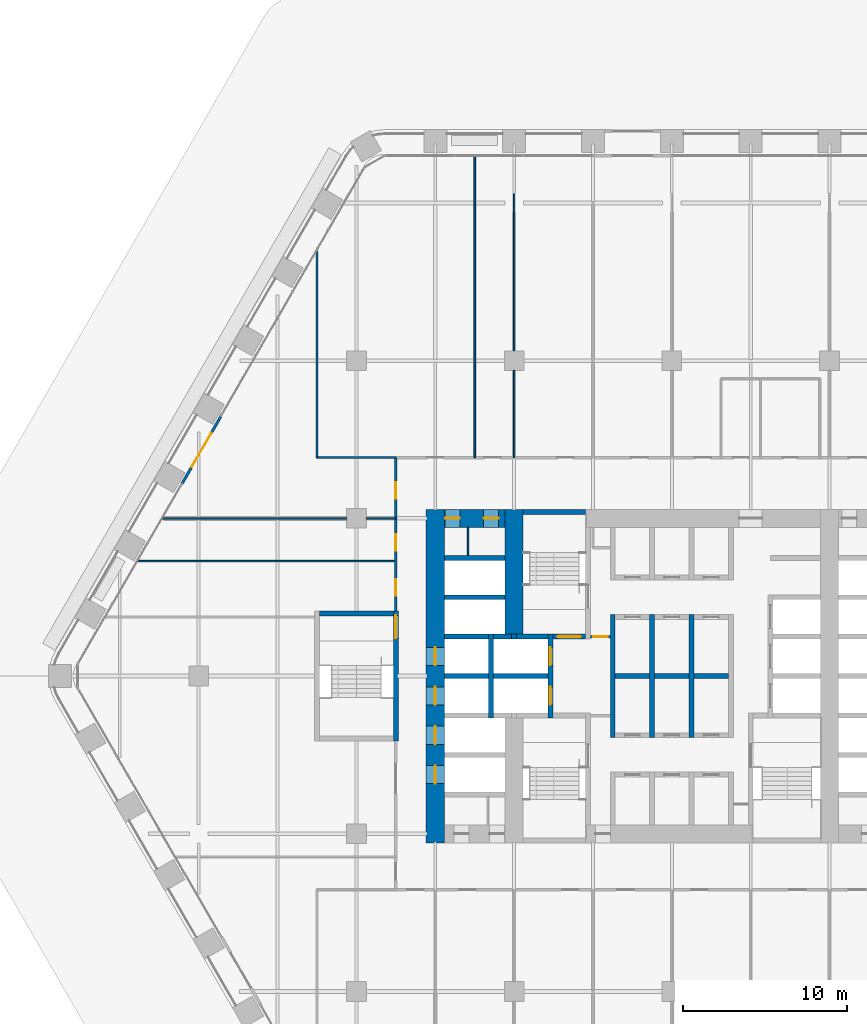
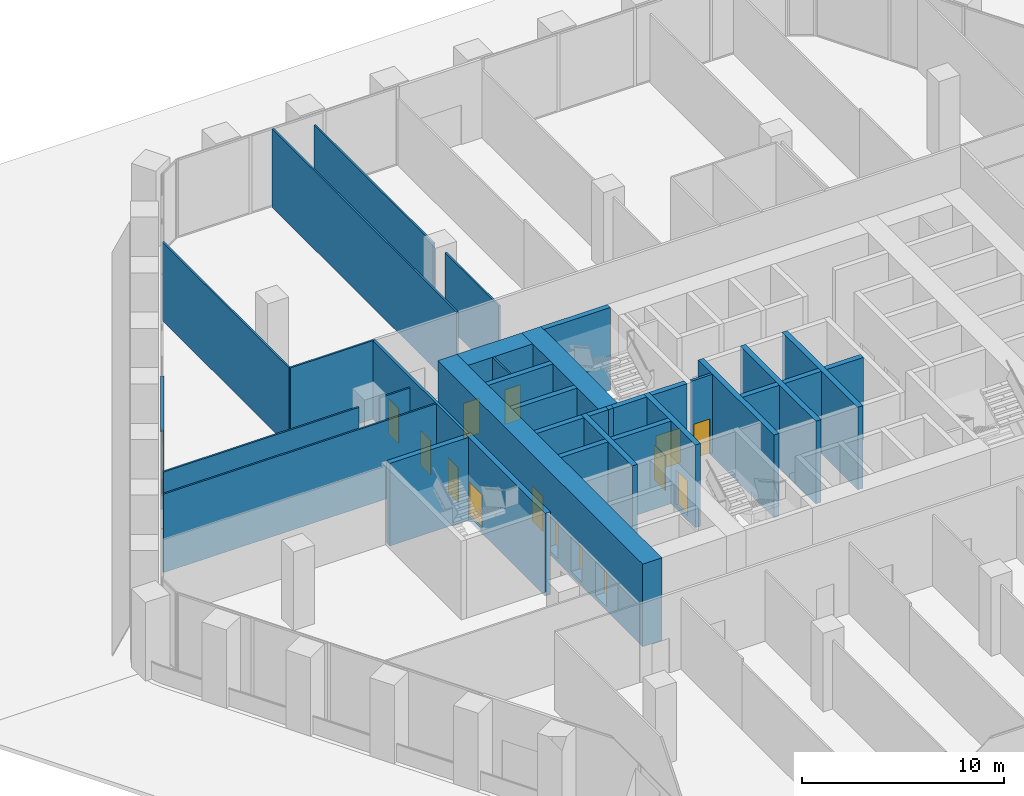
# One storey, part 21 of 29: 35 walls, 15 doors, 15 openings.
"""IFC4 building model written with IfcOpenShell, lengths in metres."""

from ifc_helpers import new_model, si_unit, direction, frame, frame_2d, origin, place, context, subcontext, project, spatial, rectangle, extrude, material, layer, layer_set, type_object, element, fill, save


model = new_model("IFC4")

# Units and contexts
model_context = context("Model", 3, precision=1e-05, world=origin(), true_north=direction((0.0, 1.0)))
body_context = subcontext(model_context, "Body", "Model", "MODEL_VIEW")
ifc_project = project(units=[si_unit("LENGTHUNIT", "METRE"), si_unit("AREAUNIT", "SQUARE_METRE"), si_unit("VOLUMEUNIT", "CUBIC_METRE"), si_unit("PLANEANGLEUNIT", "RADIAN"), si_unit("MASSUNIT", "GRAM", prefix="KILO")], contexts=[model_context])

# Site, building, storey
site_placement = place(None, origin())
site = spatial("IfcSite", under=ifc_project, at=site_placement, CompositionType="ELEMENT")
building_placement = place(site_placement, origin())
building = spatial("IfcBuilding", under=site, at=building_placement, Name="Kolab Exchange Tower", CompositionType="ELEMENT")
storey_placement = place(building_placement, frame((0.0, 0.0, 17.39990234375)))
storey = spatial("IfcBuildingStorey", under=building, at=storey_placement, Name="L03", CompositionType="ELEMENT", Elevation=17.39990234375)

# Wall, openings, doors
ifc_material_1 = material(Name="Concrete C80/95", Category="concrete")
ifc_layer_1 = layer(ifc_material_1, 1.10009765625)
ifc_layer_set_1 = layer_set([ifc_layer_1], Name="Concrete C80/95")
wall_type_1 = type_object("IfcWallType", Name="CORE WALL 1100 C80/95", PredefinedType="SHEAR", material=ifc_layer_set_1)
wall_1_placement = place(storey_placement, frame((-13.85009765625, 9.60009765625, -0.25), z_axis=(0.0, 0.0, 1.0), x_axis=(1.0, 0.0, 0.0)))
wall_1 = element("IfcWall", 1, at=wall_1_placement, inside=storey, type_object=wall_type_1, Name="wall/L03/core/051", PredefinedType="SHEAR", context=body_context, shape_type="SweptSolid", body=[
    extrude(rectangle(XDim=3.7001953125, YDim=1.10009765625, at=frame_2d((1.85009765625, 0.0))), origin(), (0.0, 0.0, 1.0), 5.0),
])
opening_1_placement = place(wall_1_placement, frame((0.050048828125, 0.0, 0.25)))
opening_1 = element("IfcOpeningElement", 2, at=opening_1_placement, cuts=wall_1, Name="Opening D6-077", PredefinedType="OPENING", context=body_context, shape_type="SweptSolid", body=[
    extrude(rectangle(XDim=0.89990234375, YDim=2.10009765625, at=frame_2d((0.449951171875, 1.050048828125))), frame((0.0, 0.56005859375, 0.0), z_axis=(0.0, -1.0, 0.0), x_axis=(1.0, 0.0, 0.0)), (0.0, 0.0, 1.0), 1.1201171875),
])
opening_2_placement = place(wall_1_placement, frame((2.39990234375, 0.0, 0.25)))
opening_2 = element("IfcOpeningElement", 3, at=opening_2_placement, cuts=wall_1, Name="Opening D6-078", PredefinedType="OPENING", context=body_context, shape_type="SweptSolid", body=[
    extrude(rectangle(XDim=0.89990234375, YDim=2.10009765625, at=frame_2d((0.449951171875, 1.050048828125))), frame((0.0, 0.56005859375, 0.0), z_axis=(0.0, -1.0, 0.0), x_axis=(1.0, 0.0, 0.0)), (0.0, 0.0, 1.0), 1.1201171875),
])
ifc_material_2 = material(Name="Steel S235", Category="steel")
door_type_1 = type_object("IfcDoorType", Name="CORE DOOR 900 EI 120", OperationType="SINGLE_SWING_LEFT", PredefinedType="DOOR", material=ifc_material_2)
door_1_placement = place(opening_1_placement, frame((0.89990234375, 0.0, 0.0), z_axis=(0.0, 0.0, 1.0), x_axis=(-1.0, 0.0, 0.0)))
door_1 = element("IfcDoor", 4, at=door_1_placement, inside=storey, type_object=door_type_1, Name="Service room door", OperationType="SINGLE_SWING_RIGHT", OverallHeight=2.10009765625, OverallWidth=0.89990234375, PredefinedType="DOOR", context=body_context, shape_type="SweptSolid", body=[
    extrude(rectangle(XDim=0.89990234375, YDim=2.10009765625, at=frame_2d((0.449951171875, 1.050048828125))), frame((0.0, 0.02490234375, 0.0), z_axis=(0.0, -1.0, 0.0), x_axis=(1.0, 0.0, 0.0)), (0.0, 0.0, 1.0), 0.050048828125),
])
fill(opening_1, door_1)
door_2_placement = place(opening_2_placement, frame((0.89990234375, 0.0, 0.0), z_axis=(0.0, 0.0, 1.0), x_axis=(-1.0, 0.0, 0.0)))
door_2 = element("IfcDoor", 5, at=door_2_placement, inside=storey, type_object=door_type_1, Name="Service room door", OperationType="SINGLE_SWING_LEFT", OverallHeight=2.10009765625, OverallWidth=0.89990234375, PredefinedType="DOOR", context=body_context, shape_type="SweptSolid", body=[
    extrude(rectangle(XDim=0.89990234375, YDim=2.10009765625, at=frame_2d((0.449951171875, 1.050048828125))), frame((0.0, 0.02490234375, 0.0), z_axis=(0.0, -1.0, 0.0), x_axis=(1.0, 0.0, 0.0)), (0.0, 0.0, 1.0), 0.050048828125),
])
fill(opening_2, door_2)

wall_2_placement = place(storey_placement, frame((-14.39990234375, -10.14990234375, -0.25), z_axis=(0.0, 0.0, 1.0), x_axis=(0.0, 1.0, 0.0)))
wall_2 = element("IfcWall", 6, at=wall_2_placement, inside=storey, type_object=wall_type_1, Name="wall/L03/core/057", PredefinedType="SHEAR", context=body_context, shape_type="SweptSolid", body=[
    extrude(rectangle(XDim=20.2998046875, YDim=1.10009765625, at=frame_2d((10.14990234375, 0.0))), origin(), (0.0, 0.0, 1.0), 5.0),
])
opening_3_placement = place(wall_2_placement, frame((3.60009765625, 0.0, 0.25)))
opening_3 = element("IfcOpeningElement", 7, at=opening_3_placement, cuts=wall_2, Name="Opening LD1-033", PredefinedType="OPENING", context=body_context, shape_type="SweptSolid", body=[
    extrude(rectangle(XDim=1.10009765625, YDim=2.10009765625, at=frame_2d((0.550048828125, 1.050048828125))), frame((0.0, 0.56005859375, 0.0), z_axis=(0.0, -1.0, 0.0), x_axis=(1.0, 0.0, 0.0)), (0.0, 0.0, 1.0), 1.1201171875),
])
opening_4_placement = place(wall_2_placement, frame((6.0, 0.0, 0.25)))
opening_4 = element("IfcOpeningElement", 8, at=opening_4_placement, cuts=wall_2, Name="Opening LD1-034", PredefinedType="OPENING", context=body_context, shape_type="SweptSolid", body=[
    extrude(rectangle(XDim=1.10009765625, YDim=2.10009765625, at=frame_2d((0.550048828125, 1.050048828125))), frame((0.0, 0.56005859375, 0.0), z_axis=(0.0, -1.0, 0.0), x_axis=(1.0, 0.0, 0.0)), (0.0, 0.0, 1.0), 1.1201171875),
])
opening_5_placement = place(wall_2_placement, frame((8.39990234375, 0.0, 0.25)))
opening_5 = element("IfcOpeningElement", 9, at=opening_5_placement, cuts=wall_2, Name="Opening LD1-035", PredefinedType="OPENING", context=body_context, shape_type="SweptSolid", body=[
    extrude(rectangle(XDim=1.10009765625, YDim=2.10009765625, at=frame_2d((0.550048828125, 1.050048828125))), frame((0.0, 0.56005859375, 0.0), z_axis=(0.0, -1.0, 0.0), x_axis=(1.0, 0.0, 0.0)), (0.0, 0.0, 1.0), 1.1201171875),
])
opening_6_placement = place(wall_2_placement, frame((10.800048828125, 0.0, 0.25)))
opening_6 = element("IfcOpeningElement", 10, at=opening_6_placement, cuts=wall_2, Name="Opening LD1-036", PredefinedType="OPENING", context=body_context, shape_type="SweptSolid", body=[
    extrude(rectangle(XDim=1.10009765625, YDim=2.10009765625, at=frame_2d((0.550048828125, 1.050048828125))), frame((0.0, 0.56005859375, 0.0), z_axis=(0.0, -1.0, 0.0), x_axis=(1.0, 0.0, 0.0)), (0.0, 0.0, 1.0), 1.1201171875),
])
ifc_material_3 = material(Name="Stainless steel 316", Category="steel")
door_type_2 = type_object("IfcDoorType", Name="LANDING DOOR 1100 PASSENGER", OperationType="DOUBLE_DOOR_SLIDING", PredefinedType="DOOR", material=ifc_material_3)
door_3_placement = place(opening_3_placement, origin())
door_3 = element("IfcDoor", 11, at=door_3_placement, inside=storey, type_object=door_type_2, Name="Landing door LR5", OperationType="DOUBLE_DOOR_SLIDING", OverallHeight=2.10009765625, OverallWidth=1.10009765625, PredefinedType="DOOR", context=body_context, shape_type="SweptSolid", body=[
    extrude(rectangle(XDim=1.10009765625, YDim=2.10009765625, at=frame_2d((0.550048828125, 1.050048828125))), frame((0.0, 0.02490234375, 0.0), z_axis=(0.0, -1.0, 0.0), x_axis=(1.0, 0.0, 0.0)), (0.0, 0.0, 1.0), 0.050048828125),
])
fill(opening_3, door_3)
door_4_placement = place(opening_4_placement, origin())
door_4 = element("IfcDoor", 12, at=door_4_placement, inside=storey, type_object=door_type_2, Name="Landing door LR6", OperationType="DOUBLE_DOOR_SLIDING", OverallHeight=2.10009765625, OverallWidth=1.10009765625, PredefinedType="DOOR", context=body_context, shape_type="SweptSolid", body=[
    extrude(rectangle(XDim=1.10009765625, YDim=2.10009765625, at=frame_2d((0.550048828125, 1.050048828125))), frame((0.0, 0.02490234375, 0.0), z_axis=(0.0, -1.0, 0.0), x_axis=(1.0, 0.0, 0.0)), (0.0, 0.0, 1.0), 0.050048828125),
])
fill(opening_4, door_4)
door_5_placement = place(opening_5_placement, origin())
door_5 = element("IfcDoor", 13, at=door_5_placement, inside=storey, type_object=door_type_2, Name="Landing door LR7", OperationType="DOUBLE_DOOR_SLIDING", OverallHeight=2.10009765625, OverallWidth=1.10009765625, PredefinedType="DOOR", context=body_context, shape_type="SweptSolid", body=[
    extrude(rectangle(XDim=1.10009765625, YDim=2.10009765625, at=frame_2d((0.550048828125, 1.050048828125))), frame((0.0, 0.02490234375, 0.0), z_axis=(0.0, -1.0, 0.0), x_axis=(1.0, 0.0, 0.0)), (0.0, 0.0, 1.0), 0.050048828125),
])
fill(opening_5, door_5)
door_6_placement = place(opening_6_placement, origin())
door_6 = element("IfcDoor", 14, at=door_6_placement, inside=storey, type_object=door_type_2, Name="Landing door LR8", OperationType="DOUBLE_DOOR_SLIDING", OverallHeight=2.10009765625, OverallWidth=1.10009765625, PredefinedType="DOOR", context=body_context, shape_type="SweptSolid", body=[
    extrude(rectangle(XDim=1.10009765625, YDim=2.10009765625, at=frame_2d((0.550048828125, 1.050048828125))), frame((0.0, 0.02490234375, 0.0), z_axis=(0.0, -1.0, 0.0), x_axis=(1.0, 0.0, 0.0)), (0.0, 0.0, 1.0), 0.050048828125),
])
fill(opening_6, door_6)

# Wall
wall_3_placement = place(storey_placement, frame((-9.60009765625, 2.550048828125, -0.25), z_axis=(0.0, 0.0, 1.0), x_axis=(0.0, 1.0, 0.0)))
element("IfcWall", 15, at=wall_3_placement, inside=storey, type_object=wall_type_1, Name="wall/L03/core/062", PredefinedType="SHEAR", context=body_context, shape_type="SweptSolid", body=[
    extrude(rectangle(XDim=7.599853515625, YDim=1.10009765625, at=frame_2d((3.7998046875, 0.0))), origin(), (0.0, 0.0, 1.0), 5.0),
])

# Wall, opening, door
ifc_material_4 = material(Name="Aluminium EN AW-6063 T6", Category="aluminium")
ifc_layer_2 = layer(ifc_material_4, 0.159912109375)
ifc_layer_set_2 = layer_set([ifc_layer_2], Name="Aluminium EN AW-6063 T6")
wall_type_2 = type_object("IfcWallType", Name="DOOR SURROUND WALL 160 ALUMINIUM FRAMED", PredefinedType="PARTITIONING", material=ifc_layer_set_2)
wall_4_placement = place(storey_placement, frame((-29.816650390625, 11.706787109375, 0.0), z_axis=(0.0, 0.0, 1.0), x_axis=(0.499978080042, 0.866038058908, 0.0)))
wall_4 = element("IfcWall", 16, at=wall_4_placement, inside=storey, type_object=wall_type_2, Name="Door surround wall", PredefinedType="PARTITIONING", context=body_context, shape_type="SweptSolid", body=[
    extrude(rectangle(XDim=4.739990234375, YDim=0.159912109375, at=frame_2d((2.3701171875, 0.0))), origin(), (0.0, 0.0, 1.0), 4.75),
])
opening_7_placement = place(wall_4_placement, frame((1.169921875, 0.0, 0.0)))
opening_7 = element("IfcOpeningElement", 17, at=opening_7_placement, cuts=wall_4, Name="Opening GD1-014", PredefinedType="OPENING", context=body_context, shape_type="SweptSolid", body=[
    extrude(rectangle(XDim=2.39990234375, YDim=2.39990234375, at=frame_2d((1.199951171875, 1.199951171875))), frame((0.0, 0.08984375, 0.0), z_axis=(0.0, -1.0, 0.0), x_axis=(1.0, 0.0, 0.0)), (0.0, 0.0, 1.0), 0.179931640625),
])
door_type_3 = type_object("IfcDoorType", Name="LOGGIA SLIDING GLASS DOOR 2400 X 2400", OperationType="DOUBLE_DOOR_SINGLE_SWING", PredefinedType="DOOR", material=ifc_material_4)
door_7_placement = place(opening_7_placement, origin())
door_7 = element("IfcDoor", 18, at=door_7_placement, inside=storey, type_object=door_type_3, Name="Loggia door", OperationType="DOUBLE_DOOR_SLIDING", OverallHeight=2.39990234375, OverallWidth=2.39990234375, PredefinedType="DOOR", context=body_context, shape_type="SweptSolid", body=[
    extrude(rectangle(XDim=2.39990234375, YDim=2.39990234375, at=frame_2d((1.199951171875, 1.199951171875))), frame((0.0, 0.02490234375, 0.0), z_axis=(0.0, -1.0, 0.0), x_axis=(1.0, 0.0, 0.0)), (0.0, 0.0, 1.0), 0.050048828125),
])
fill(opening_7, door_7)

# Walls
ifc_material_5 = material(Name="Concrete C50/60", Category="concrete")
ifc_layer_3 = layer(ifc_material_5, 0.300048828125)
ifc_layer_set_3 = layer_set([ifc_layer_3], Name="Concrete C50/60")
wall_type_3 = type_object("IfcWallType", Name="LIFT SHAFT WALL 300 C50/60", PredefinedType="STANDARD", material=ifc_layer_set_3)
wall_5_placement = place(storey_placement, frame((-13.85009765625, 0.0, -0.25), z_axis=(0.0, 0.0, 1.0), x_axis=(1.0, 0.0, 0.0)))
element("IfcWall", 19, at=wall_5_placement, inside=storey, type_object=wall_type_3, Name="wall/L03/core/024", PredefinedType="STANDARD", context=body_context, shape_type="SweptSolid", body=[
    extrude(rectangle(XDim=2.7001953125, YDim=0.300048828125, at=frame_2d((1.35009765625, 0.0))), origin(), (0.0, 0.0, 1.0), 5.0),
])
wall_6_placement = place(storey_placement, frame((-10.85009765625, 0.0, -0.25), z_axis=(0.0, 0.0, 1.0), x_axis=(1.0, 0.0, 0.0)))
element("IfcWall", 20, at=wall_6_placement, inside=storey, type_object=wall_type_3, Name="wall/L03/core/025", PredefinedType="STANDARD", context=body_context, shape_type="SweptSolid", body=[
    extrude(rectangle(XDim=3.300048828125, YDim=0.300048828125, at=frame_2d((1.64990234375, 0.0))), origin(), (0.0, 0.0, 1.0), 5.0),
])
wall_7_placement = place(storey_placement, frame((-3.449951171875, 0.0, -0.25), z_axis=(0.0, 0.0, 1.0), x_axis=(1.0, 0.0, 0.0)))
element("IfcWall", 21, at=wall_7_placement, inside=storey, type_object=wall_type_3, Name="wall/L03/core/026", PredefinedType="STANDARD", context=body_context, shape_type="SweptSolid", body=[
    extrude(rectangle(XDim=2.099853515625, YDim=0.300048828125, at=frame_2d((1.0498046875, 0.0))), origin(), (0.0, 0.0, 1.0), 5.0),
])
wall_8_placement = place(storey_placement, frame((-1.050048828125, 0.0, -0.25), z_axis=(0.0, 0.0, 1.0), x_axis=(1.0, 0.0, 0.0)))
element("IfcWall", 22, at=wall_8_placement, inside=storey, type_object=wall_type_3, Name="wall/L03/core/027", PredefinedType="STANDARD", context=body_context, shape_type="SweptSolid", body=[
    extrude(rectangle(XDim=2.10009765625, YDim=0.300048828125, at=frame_2d((1.050048828125, 0.0))), origin(), (0.0, 0.0, 1.0), 5.0),
])
wall_9_placement = place(storey_placement, frame((1.35009765625, 0.0, -0.25), z_axis=(0.0, 0.0, 1.0), x_axis=(1.0, 0.0, 0.0)))
element("IfcWall", 23, at=wall_9_placement, inside=storey, type_object=wall_type_3, Name="wall/L03/core/028", PredefinedType="STANDARD", context=body_context, shape_type="SweptSolid", body=[
    extrude(rectangle(XDim=2.099853515625, YDim=0.300048828125, at=frame_2d((1.0498046875, 0.0))), origin(), (0.0, 0.0, 1.0), 5.0),
])
wall_10_placement = place(storey_placement, frame((-13.85009765625, 2.39990234375, -0.25), z_axis=(0.0, 0.0, 1.0), x_axis=(1.0, 0.0, 0.0)))
element("IfcWall", 24, at=wall_10_placement, inside=storey, type_object=wall_type_3, Name="wall/L03/core/031", PredefinedType="STANDARD", context=body_context, shape_type="SweptSolid", body=[
    extrude(rectangle(XDim=2.7001953125, YDim=0.300048828125, at=frame_2d((1.35009765625, 0.0))), origin(), (0.0, 0.0, 1.0), 5.0),
])
wall_11_placement = place(storey_placement, frame((-10.85009765625, 2.39990234375, -0.25), z_axis=(0.0, 0.0, 1.0), x_axis=(1.0, 0.0, 0.0)))
element("IfcWall", 25, at=wall_11_placement, inside=storey, type_object=wall_type_3, Name="wall/L03/core/032", PredefinedType="STANDARD", context=body_context, shape_type="SweptSolid", body=[
    extrude(rectangle(XDim=1.10009765625, YDim=0.300048828125, at=frame_2d((0.550048828125, 0.0))), origin(), (0.0, 0.0, 1.0), 5.0),
])
for number, where, z_axis, x_axis, name in (
    (26, (-13.85009765625, 4.800048828125, -0.25), (0.0, 0.0, 1.0), (1.0, 0.0, 0.0), "wall/L03/core/042"),
    (27, (-13.85009765625, 7.199951171875, -0.25), (0.0, 0.0, 1.0), (1.0, 0.0, 0.0), "wall/L03/core/048"),
):
    element("IfcWall", number, at=place(storey_placement, frame(where, z_axis=z_axis, x_axis=x_axis)), inside=storey, type_object=wall_type_3, Name=name, PredefinedType="STANDARD", context=body_context, shape_type="SweptSolid", body=[
        extrude(rectangle(XDim=3.7001953125, YDim=0.300048828125, at=frame_2d((1.85009765625, 0.0))), origin(), (0.0, 0.0, 1.0), 5.0),
    ])
wall_12_placement = place(storey_placement, frame((-11.0, -2.550048828125, -0.25), z_axis=(0.0, 0.0, 1.0), x_axis=(0.0, 1.0, 0.0)))
element("IfcWall", 28, at=wall_12_placement, inside=storey, type_object=wall_type_3, Name="wall/L03/core/058", PredefinedType="STANDARD", context=body_context, shape_type="SweptSolid", body=[
    extrude(rectangle(XDim=5.10009765625, YDim=0.300048828125, at=frame_2d((2.550048828125, 0.0))), origin(), (0.0, 0.0, 1.0), 5.0),
])

# Wall, openings, doors
wall_13_placement = place(storey_placement, frame((-7.39990234375, -2.550048828125, -0.25), z_axis=(0.0, 0.0, 1.0), x_axis=(0.0, 1.0, 0.0)))
wall_13 = element("IfcWall", 29, at=wall_13_placement, inside=storey, type_object=wall_type_3, Name="wall/L03/core/063", PredefinedType="STANDARD", context=body_context, shape_type="SweptSolid", body=[
    extrude(rectangle(XDim=5.10009765625, YDim=0.300048828125, at=frame_2d((2.550048828125, 0.0))), origin(), (0.0, 0.0, 1.0), 5.0),
])
opening_8_placement = place(wall_13_placement, frame((0.800048828125, 0.0, 0.25)))
opening_8 = element("IfcOpeningElement", 30, at=opening_8_placement, cuts=wall_13, Name="Opening LD2-007", PredefinedType="OPENING", context=body_context, shape_type="SweptSolid", body=[
    extrude(rectangle(XDim=1.10009765625, YDim=2.10009765625, at=frame_2d((0.550048828125, 1.050048828125))), frame((0.0, 0.16015625, 0.0), z_axis=(0.0, -1.0, 0.0), x_axis=(1.0, 0.0, 0.0)), (0.0, 0.0, 1.0), 0.320068359375),
])
opening_9_placement = place(wall_13_placement, frame((3.199951171875, 0.0, 0.25)))
opening_9 = element("IfcOpeningElement", 31, at=opening_9_placement, cuts=wall_13, Name="Opening LD2-008", PredefinedType="OPENING", context=body_context, shape_type="SweptSolid", body=[
    extrude(rectangle(XDim=1.10009765625, YDim=2.10009765625, at=frame_2d((0.550048828125, 1.050048828125))), frame((0.0, 0.16015625, 0.0), z_axis=(0.0, -1.0, 0.0), x_axis=(1.0, 0.0, 0.0)), (0.0, 0.0, 1.0), 0.320068359375),
])
door_type_4 = type_object("IfcDoorType", Name="LANDING DOOR 1100 FIREFIGHTING", OperationType="DOUBLE_DOOR_SLIDING", PredefinedType="DOOR", material=ifc_material_3)
door_8_placement = place(opening_8_placement, origin())
door_8 = element("IfcDoor", 32, at=door_8_placement, inside=storey, type_object=door_type_4, Name="Landing door FF1", OperationType="DOUBLE_DOOR_SLIDING", OverallHeight=2.10009765625, OverallWidth=1.10009765625, PredefinedType="DOOR", context=body_context, shape_type="SweptSolid", body=[
    extrude(rectangle(XDim=1.10009765625, YDim=2.10009765625, at=frame_2d((0.550048828125, 1.050048828125))), frame((0.0, 0.02490234375, 0.0), z_axis=(0.0, -1.0, 0.0), x_axis=(1.0, 0.0, 0.0)), (0.0, 0.0, 1.0), 0.050048828125),
])
fill(opening_8, door_8)
door_9_placement = place(opening_9_placement, origin())
door_9 = element("IfcDoor", 33, at=door_9_placement, inside=storey, type_object=door_type_4, Name="Landing door FF2", OperationType="DOUBLE_DOOR_SLIDING", OverallHeight=2.10009765625, OverallWidth=1.10009765625, PredefinedType="DOOR", context=body_context, shape_type="SweptSolid", body=[
    extrude(rectangle(XDim=1.10009765625, YDim=2.10009765625, at=frame_2d((0.550048828125, 1.050048828125))), frame((0.0, 0.02490234375, 0.0), z_axis=(0.0, -1.0, 0.0), x_axis=(1.0, 0.0, 0.0)), (0.0, 0.0, 1.0), 0.050048828125),
])
fill(opening_9, door_9)

# Walls
for number, where, z_axis, x_axis, name in (
    (34, (-3.60009765625, -3.75, -0.25), (0.0, 0.0, 1.0), (0.0, 1.0, 0.0), "wall/L03/core/067"),
    (35, (-1.199951171875, -3.75, -0.25), (0.0, 0.0, 1.0), (0.0, 1.0, 0.0), "wall/L03/core/070"),
    (36, (1.199951171875, -3.75, -0.25), (0.0, 0.0, 1.0), (0.0, 1.0, 0.0), "wall/L03/core/073"),
):
    element("IfcWall", number, at=place(storey_placement, frame(where, z_axis=z_axis, x_axis=x_axis)), inside=storey, type_object=wall_type_3, Name=name, PredefinedType="STANDARD", context=body_context, shape_type="SweptSolid", body=[
        extrude(rectangle(XDim=7.5, YDim=0.300048828125, at=frame_2d((3.75, 0.0))), origin(), (0.0, 0.0, 1.0), 5.0),
    ])
ifc_material_6 = material(Name="Gypsum board", Category="gypsum")
ifc_layer_4 = layer(ifc_material_6, 0.10009765625)
ifc_layer_set_4 = layer_set([ifc_layer_4], Name="Gypsum board")
wall_type_4 = type_object("IfcWallType", Name="PARTITION 100", PredefinedType="PARTITIONING", material=ifc_layer_set_4)
wall_14_placement = place(storey_placement, frame((-9.60009765625, 13.300048828125, 0.0), z_axis=(0.0, 0.0, 1.0), x_axis=(0.0, 1.0, 0.0)))
element("IfcWall", 37, at=wall_14_placement, inside=storey, type_object=wall_type_4, Name="Partition 024", PredefinedType="PARTITIONING", context=body_context, shape_type="SweptSolid", body=[
    extrude(rectangle(XDim=5.300048828125, YDim=0.10009765625, at=frame_2d((2.64990234375, 0.0))), origin(), (0.0, 0.0, 1.0), 4.293212890625),
])
wall_15_placement = place(storey_placement, frame((-9.60009765625, 19.800048828125, 0.0), z_axis=(0.0, 0.0, 1.0), x_axis=(0.0, 1.0, 0.0)))
element("IfcWall", 38, at=wall_15_placement, inside=storey, type_object=wall_type_4, Name="Partition 025", PredefinedType="PARTITIONING", context=body_context, shape_type="SweptSolid", body=[
    extrude(rectangle(XDim=11.785400390625, YDim=0.10009765625, at=frame_2d((5.892578125, 0.0))), origin(), (0.0, 0.0, 1.0), 4.14208984375),
])
wall_16_placement = place(storey_placement, frame((-12.0, 13.300048828125, 0.0), z_axis=(0.0, 0.0, 1.0), x_axis=(0.0, 1.0, 0.0)))
element("IfcWall", 39, at=wall_16_placement, inside=storey, type_object=wall_type_4, Name="Partition 027", PredefinedType="PARTITIONING", context=body_context, shape_type="SweptSolid", body=[
    extrude(rectangle(XDim=18.285400390625, YDim=0.10009765625, at=frame_2d((9.142578125, 0.0))), origin(), (0.0, 0.0, 1.0), 4.75),
])
wall_17_placement = place(storey_placement, frame((-12.39990234375, 7.35009765625, 0.0), z_axis=(0.0, 0.0, 1.0), x_axis=(0.0, 1.0, 0.0)))
element("IfcWall", 40, at=wall_17_placement, inside=storey, type_object=wall_type_4, Name="Partition 028", PredefinedType="PARTITIONING", context=body_context, shape_type="SweptSolid", body=[
    extrude(rectangle(XDim=1.699951171875, YDim=0.10009765625, at=frame_2d((0.85009765625, 0.0))), origin(), (0.0, 0.0, 1.0), 4.75),
])
wall_18_placement = place(storey_placement, frame((-21.60009765625, 13.300048828125, 0.0), z_axis=(0.0, 0.0, 1.0), x_axis=(0.0, 1.0, 0.0)))
element("IfcWall", 41, at=wall_18_placement, inside=storey, type_object=wall_type_4, Name="Partition 033", PredefinedType="PARTITIONING", context=body_context, shape_type="SweptSolid", body=[
    extrude(rectangle(XDim=12.558349609375, YDim=0.10009765625, at=frame_2d((6.279296875, 0.0))), origin(), (0.0, 0.0, 1.0), 4.75),
])
wall_19_placement = place(storey_placement, frame((-32.48779296875, 7.0, 0.0), z_axis=(0.0, 0.0, 1.0), x_axis=(1.0, 0.0, 0.0)))
element("IfcWall", 42, at=wall_19_placement, inside=storey, type_object=wall_type_4, Name="Partition 042", PredefinedType="PARTITIONING", context=body_context, shape_type="SweptSolid", body=[
    extrude(rectangle(XDim=15.687744140625, YDim=0.10009765625, at=frame_2d((7.84375, 0.0))), origin(), (0.0, 0.0, 1.0), 4.75),
])
wall_20_placement = place(storey_placement, frame((-30.98681640625, 9.60009765625, 0.0), z_axis=(0.0, 0.0, 1.0), x_axis=(1.0, 0.0, 0.0)))
element("IfcWall", 43, at=wall_20_placement, inside=storey, type_object=wall_type_4, Name="Partition 044", PredefinedType="PARTITIONING", context=body_context, shape_type="SweptSolid", body=[
    extrude(rectangle(XDim=11.186767578125, YDim=0.10009765625, at=frame_2d((5.59326171875, 0.0))), origin(), (0.0, 0.0, 1.0), 3.988037109375),
])
wall_21_placement = place(storey_placement, frame((-18.60009765625, 9.60009765625, 0.0), z_axis=(0.0, 0.0, 1.0), x_axis=(1.0, 0.0, 0.0)))
element("IfcWall", 44, at=wall_21_placement, inside=storey, type_object=wall_type_4, Name="Partition 045", PredefinedType="PARTITIONING", context=body_context, shape_type="SweptSolid", body=[
    extrude(rectangle(XDim=1.800048828125, YDim=0.10009765625, at=frame_2d((0.89990234375, 0.0))), origin(), (0.0, 0.0, 1.0), 4.14208984375),
])
wall_22_placement = place(storey_placement, frame((-21.60009765625, 13.300048828125, 0.0), z_axis=(0.0, 0.0, 1.0), x_axis=(1.0, 0.0, 0.0)))
element("IfcWall", 45, at=wall_22_placement, inside=storey, type_object=wall_type_4, Name="Partition 047", PredefinedType="PARTITIONING", context=body_context, shape_type="SweptSolid", body=[
    extrude(rectangle(XDim=4.800048828125, YDim=0.10009765625, at=frame_2d((2.39990234375, 0.0))), origin(), (0.0, 0.0, 1.0), 4.75),
])

# Wall, openings, doors
ifc_layer_5 = layer(ifc_material_6, 0.14990234375)
ifc_layer_set_5 = layer_set([ifc_layer_5], Name="Gypsum board")
wall_type_5 = type_object("IfcWallType", Name="PARTITION 150 FIRE-RATED", PredefinedType="PARTITIONING", material=ifc_layer_set_5)
wall_23_placement = place(storey_placement, frame((-16.800048828125, 3.949951171875, 0.0), z_axis=(0.0, 0.0, 1.0), x_axis=(0.0, 1.0, 0.0)))
wall_23 = element("IfcWall", 46, at=wall_23_placement, inside=storey, type_object=wall_type_5, Name="Partition 031", PredefinedType="PARTITIONING", context=body_context, shape_type="SweptSolid", body=[
    extrude(rectangle(XDim=9.35009765625, YDim=0.14990234375, at=frame_2d((4.675048828125, 0.0))), origin(), (0.0, 0.0, 1.0), 4.75),
])
opening_10_placement = place(wall_23_placement, frame((0.949951171875, 0.0, 0.0)))
opening_10 = element("IfcOpeningElement", 47, at=opening_10_placement, cuts=wall_23, Name="Opening D1-063", PredefinedType="OPENING", context=body_context, shape_type="SweptSolid", body=[
    extrude(rectangle(XDim=1.0, YDim=2.10009765625, at=frame_2d((0.5, 1.050048828125))), frame((0.0, 0.0849609375, 0.0), z_axis=(0.0, -1.0, 0.0), x_axis=(1.0, 0.0, 0.0)), (0.0, 0.0, 1.0), 0.169921875),
])
opening_11_placement = place(wall_23_placement, frame((3.675048828125, 0.0, 0.0)))
opening_11 = element("IfcOpeningElement", 48, at=opening_11_placement, cuts=wall_23, Name="Opening D1-064", PredefinedType="OPENING", context=body_context, shape_type="SweptSolid", body=[
    extrude(rectangle(XDim=1.0, YDim=2.10009765625, at=frame_2d((0.5, 1.050048828125))), frame((0.0, 0.0849609375, 0.0), z_axis=(0.0, -1.0, 0.0), x_axis=(1.0, 0.0, 0.0)), (0.0, 0.0, 1.0), 0.169921875),
])
opening_12_placement = place(wall_23_placement, frame((6.85009765625, 0.0, 0.0)))
opening_12 = element("IfcOpeningElement", 49, at=opening_12_placement, cuts=wall_23, Name="Opening D1-065", PredefinedType="OPENING", context=body_context, shape_type="SweptSolid", body=[
    extrude(rectangle(XDim=1.0, YDim=2.10009765625, at=frame_2d((0.5, 1.050048828125))), frame((0.0, 0.0849609375, 0.0), z_axis=(0.0, -1.0, 0.0), x_axis=(1.0, 0.0, 0.0)), (0.0, 0.0, 1.0), 0.169921875),
])
door_type_5 = type_object("IfcDoorType", Name="FLUSH DOOR 1000 FD60", OperationType="SINGLE_SWING_LEFT", PredefinedType="DOOR", material=ifc_material_2)
door_10_placement = place(opening_10_placement, origin())
door_10 = element("IfcDoor", 50, at=door_10_placement, inside=storey, type_object=door_type_5, Name="Door L03-069", OperationType="SINGLE_SWING_RIGHT", OverallHeight=2.10009765625, OverallWidth=1.0, PredefinedType="DOOR", context=body_context, shape_type="SweptSolid", body=[
    extrude(rectangle(XDim=1.0, YDim=2.10009765625, at=frame_2d((0.5, 1.050048828125))), frame((0.0, 0.02490234375, 0.0), z_axis=(0.0, -1.0, 0.0), x_axis=(1.0, 0.0, 0.0)), (0.0, 0.0, 1.0), 0.050048828125),
])
fill(opening_10, door_10)
door_11_placement = place(opening_11_placement, origin())
door_11 = element("IfcDoor", 51, at=door_11_placement, inside=storey, type_object=door_type_5, Name="Door L03-070", OperationType="SINGLE_SWING_LEFT", OverallHeight=2.10009765625, OverallWidth=1.0, PredefinedType="DOOR", context=body_context, shape_type="SweptSolid", body=[
    extrude(rectangle(XDim=1.0, YDim=2.10009765625, at=frame_2d((0.5, 1.050048828125))), frame((0.0, 0.02490234375, 0.0), z_axis=(0.0, -1.0, 0.0), x_axis=(1.0, 0.0, 0.0)), (0.0, 0.0, 1.0), 0.050048828125),
])
fill(opening_11, door_11)
door_12_placement = place(opening_12_placement, origin())
door_12 = element("IfcDoor", 52, at=door_12_placement, inside=storey, type_object=door_type_5, Name="Door L03-071", OperationType="SINGLE_SWING_LEFT", OverallHeight=2.10009765625, OverallWidth=1.0, PredefinedType="DOOR", context=body_context, shape_type="SweptSolid", body=[
    extrude(rectangle(XDim=1.0, YDim=2.10009765625, at=frame_2d((0.5, 1.050048828125))), frame((0.0, 0.02490234375, 0.0), z_axis=(0.0, -1.0, 0.0), x_axis=(1.0, 0.0, 0.0)), (0.0, 0.0, 1.0), 0.050048828125),
])
fill(opening_12, door_12)

# Wall, opening, door
wall_24_placement = place(storey_placement, frame((-4.949951171875, 2.39990234375, 0.0), z_axis=(0.0, 0.0, 1.0), x_axis=(1.0, 0.0, 0.0)))
wall_24 = element("IfcWall", 53, at=wall_24_placement, inside=storey, type_object=wall_type_5, Name="Fire partition", PredefinedType="PARTITIONING", context=body_context, shape_type="SweptSolid", body=[
    extrude(rectangle(XDim=1.199951171875, YDim=0.14990234375, at=frame_2d((0.60009765625, 0.0))), origin(), (0.0, 0.0, 1.0), 4.75),
])
opening_13_placement = place(wall_24_placement, frame((0.14990234375, 0.0, 0.0)))
opening_13 = element("IfcOpeningElement", 54, at=opening_13_placement, cuts=wall_24, Name="Opening D6-056", PredefinedType="OPENING", context=body_context, shape_type="SweptSolid", body=[
    extrude(rectangle(XDim=0.89990234375, YDim=2.10009765625, at=frame_2d((0.449951171875, 1.050048828125))), frame((0.0, 0.0849609375, 0.0), z_axis=(0.0, -1.0, 0.0), x_axis=(1.0, 0.0, 0.0)), (0.0, 0.0, 1.0), 0.169921875),
])
door_13_placement = place(opening_13_placement, frame((0.89990234375, 0.0, 0.0), z_axis=(0.0, 0.0, 1.0), x_axis=(-1.0, 0.0, 0.0)))
door_13 = element("IfcDoor", 55, at=door_13_placement, inside=storey, type_object=door_type_1, Name="Firefighting lobby door", OperationType="SINGLE_SWING_RIGHT", OverallHeight=2.10009765625, OverallWidth=0.89990234375, PredefinedType="DOOR", context=body_context, shape_type="SweptSolid", body=[
    extrude(rectangle(XDim=0.89990234375, YDim=2.10009765625, at=frame_2d((0.449951171875, 1.050048828125))), frame((0.0, 0.02490234375, 0.0), z_axis=(0.0, -1.0, 0.0), x_axis=(1.0, 0.0, 0.0)), (0.0, 0.0, 1.0), 0.050048828125),
])
fill(opening_13, door_13)

# Wall
ifc_layer_6 = layer(ifc_material_5, 0.300048828125)
ifc_layer_set_6 = layer_set([ifc_layer_6], Name="Concrete C50/60")
wall_type_6 = type_object("IfcWallType", Name="STAIR ENCLOSURE WALL 300 C50/60", PredefinedType="STANDARD", material=ifc_layer_set_6)
wall_25_placement = place(storey_placement, frame((-9.449951171875, 2.39990234375, -0.25), z_axis=(0.0, 0.0, 1.0), x_axis=(1.0, 0.0, 0.0)))
element("IfcWall", 56, at=wall_25_placement, inside=storey, type_object=wall_type_6, Name="wall/L03/core/033", PredefinedType="STANDARD", context=body_context, shape_type="SweptSolid", body=[
    extrude(rectangle(XDim=1.89990234375, YDim=0.300048828125, at=frame_2d((0.949951171875, 0.0))), origin(), (0.0, 0.0, 1.0), 5.0),
])

# Wall, opening, door
wall_26_placement = place(storey_placement, frame((-7.25, 2.39990234375, -0.25), z_axis=(0.0, 0.0, 1.0), x_axis=(1.0, 0.0, 0.0)))
wall_26 = element("IfcWall", 57, at=wall_26_placement, inside=storey, type_object=wall_type_6, Name="wall/L03/core/034", PredefinedType="STANDARD", context=body_context, shape_type="SweptSolid", body=[
    extrude(rectangle(XDim=2.0, YDim=0.300048828125, at=frame_2d((1.0, 0.0))), origin(), (0.0, 0.0, 1.0), 5.0),
])
opening_14_placement = place(wall_26_placement, frame((0.300048828125, 0.0, 0.25)))
opening_14 = element("IfcOpeningElement", 58, at=opening_14_placement, cuts=wall_26, Name="Opening D8-001", PredefinedType="OPENING", context=body_context, shape_type="SweptSolid", body=[
    extrude(rectangle(XDim=1.39990234375, YDim=2.10009765625, at=frame_2d((0.699951171875, 1.050048828125))), frame((0.0, 0.16015625, 0.0), z_axis=(0.0, -1.0, 0.0), x_axis=(1.0, 0.0, 0.0)), (0.0, 0.0, 1.0), 0.320068359375),
])
door_type_6 = type_object("IfcDoorType", Name="STAIR DOOR 1400 EI 120", OperationType="SINGLE_SWING_LEFT", PredefinedType="DOOR", material=ifc_material_2)
door_14_placement = place(opening_14_placement, origin())
door_14 = element("IfcDoor", 59, at=door_14_placement, inside=storey, type_object=door_type_6, Name="Stair 1 door", OperationType="SINGLE_SWING_RIGHT", OverallHeight=2.10009765625, OverallWidth=1.39990234375, PredefinedType="DOOR", context=body_context, shape_type="SweptSolid", body=[
    extrude(rectangle(XDim=1.39990234375, YDim=2.10009765625, at=frame_2d((0.699951171875, 1.050048828125))), frame((0.0, 0.02490234375, 0.0), z_axis=(0.0, -1.0, 0.0), x_axis=(1.0, 0.0, 0.0)), (0.0, 0.0, 1.0), 0.050048828125),
])
fill(opening_14, door_14)

# Walls
wall_27_placement = place(storey_placement, frame((-21.449951171875, 3.800048828125, -0.25), z_axis=(0.0, 0.0, 1.0), x_axis=(1.0, 0.0, 0.0)))
element("IfcWall", 60, at=wall_27_placement, inside=storey, type_object=wall_type_6, Name="wall/L03/core/040", PredefinedType="STANDARD", context=body_context, shape_type="SweptSolid", body=[
    extrude(rectangle(XDim=4.5, YDim=0.300048828125, at=frame_2d((2.25, 0.0))), origin(), (0.0, 0.0, 1.0), 5.0),
])
wall_28_placement = place(storey_placement, frame((-9.050048828125, 10.0, -0.25), z_axis=(0.0, 0.0, 1.0), x_axis=(1.0, 0.0, 0.0)))
element("IfcWall", 61, at=wall_28_placement, inside=storey, type_object=wall_type_6, Name="wall/L03/core/054", PredefinedType="STANDARD", context=body_context, shape_type="SweptSolid", body=[
    extrude(rectangle(XDim=3.800048828125, YDim=0.300048828125, at=frame_2d((1.89990234375, 0.0))), origin(), (0.0, 0.0, 1.0), 5.0),
])

# Wall, opening, door
wall_29_placement = place(storey_placement, frame((-16.800048828125, -3.949951171875, -0.25), z_axis=(0.0, 0.0, 1.0), x_axis=(0.0, 1.0, 0.0)))
wall_29 = element("IfcWall", 62, at=wall_29_placement, inside=storey, type_object=wall_type_6, Name="wall/L03/core/056", PredefinedType="STANDARD", context=body_context, shape_type="SweptSolid", body=[
    extrude(rectangle(XDim=7.89990234375, YDim=0.300048828125, at=frame_2d((3.949951171875, 0.0))), origin(), (0.0, 0.0, 1.0), 5.0),
])
opening_15_placement = place(wall_29_placement, frame((6.25, 0.0, 0.25)))
opening_15 = element("IfcOpeningElement", 63, at=opening_15_placement, cuts=wall_29, Name="Opening D8-006", PredefinedType="OPENING", context=body_context, shape_type="SweptSolid", body=[
    extrude(rectangle(XDim=1.39990234375, YDim=2.10009765625, at=frame_2d((0.699951171875, 1.050048828125))), frame((0.0, 0.16015625, 0.0), z_axis=(0.0, -1.0, 0.0), x_axis=(1.0, 0.0, 0.0)), (0.0, 0.0, 1.0), 0.320068359375),
])
door_15_placement = place(opening_15_placement, origin())
door_15 = element("IfcDoor", 64, at=door_15_placement, inside=storey, type_object=door_type_6, Name="Stair 5 door", OperationType="SINGLE_SWING_LEFT", OverallHeight=2.10009765625, OverallWidth=1.39990234375, PredefinedType="DOOR", context=body_context, shape_type="SweptSolid", body=[
    extrude(rectangle(XDim=1.39990234375, YDim=2.10009765625, at=frame_2d((0.699951171875, 1.050048828125))), frame((0.0, 0.02490234375, 0.0), z_axis=(0.0, -1.0, 0.0), x_axis=(1.0, 0.0, 0.0)), (0.0, 0.0, 1.0), 0.050048828125),
])
fill(opening_15, door_15)

# Wall
wall_30_placement = place(storey_placement, frame((-9.60009765625, 2.25, -0.25), z_axis=(0.0, 0.0, 1.0), x_axis=(0.0, 1.0, 0.0)))
element("IfcWall", 65, at=wall_30_placement, inside=storey, type_object=wall_type_6, Name="wall/L03/core/061", PredefinedType="STANDARD", context=body_context, shape_type="SweptSolid", body=[
    extrude(rectangle(XDim=0.300048828125, YDim=0.300048828125, at=frame_2d((0.14990234375, 0.0))), origin(), (0.0, 0.0, 1.0), 5.0),
])

save(model, "model.ifc")
